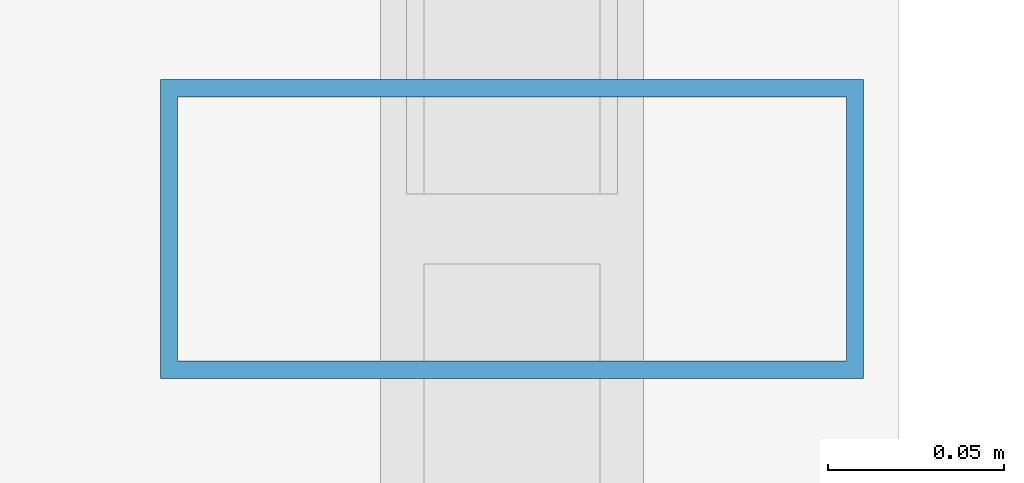
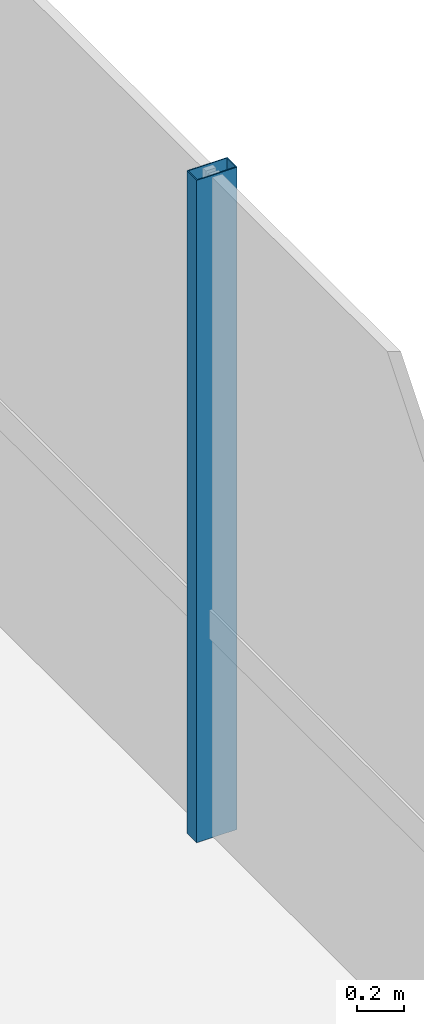
# One storey, part 8 of 36: 1 member, 1 element without a shape of its own.
"""IFC4 building model written with IfcOpenShell, lengths in metres."""

from ifc_helpers import new_model, si_unit, direction, frame, origin, origin_2d, place, context, subcontext, project, spatial, hollow_rectangle, extrude, source, transform, mapped, material, material_profile, profile_set, type_object, element, aggregate, save


model = new_model("IFC4")

# Units and contexts
model_context = context("Model", 3, precision=1e-05, world=origin(), true_north=direction((0.0, 1.0)))
body_context = subcontext(model_context, "Body", "Model", "MODEL_VIEW")
ifc_project = project(units=[si_unit("LENGTHUNIT", "METRE"), si_unit("AREAUNIT", "SQUARE_METRE"), si_unit("VOLUMEUNIT", "CUBIC_METRE"), si_unit("PLANEANGLEUNIT", "RADIAN"), si_unit("MASSUNIT", "GRAM", prefix="KILO")], contexts=[model_context])

# Site, building, storey
site_placement = place(None, origin())
site = spatial("IfcSite", under=ifc_project, at=site_placement, CompositionType="ELEMENT")
building_placement = place(site_placement, origin())
building = spatial("IfcBuilding", under=site, at=building_placement, Name="Valdorenza Pilgrim Sanctuary Tower", CompositionType="ELEMENT")
storey_placement = place(building_placement, frame((0.0, 0.0, 153.800048828125)))
storey = spatial("IfcBuildingStorey", under=building, at=storey_placement, Name="L39", CompositionType="ELEMENT", Elevation=153.800048828125)

# Curtain wall, member
ifc_material_1 = material(Name="Curtain-wall IGU glazing", Category="glass")
curtain_wall_type = type_object("IfcCurtainWallType", Name="CW-SYS-02", PredefinedType="NOTDEFINED", material=ifc_material_1)
curtain_wall_placement = place(storey_placement, origin())
curtain_wall = element("IfcCurtainWall", 1, at=curtain_wall_placement, inside=storey, type_object=curtain_wall_type, Name="L39 Curtain Wall CW-L39-1-21", PredefinedType="NOTDEFINED")
ifc_material_2 = material(Name="Anodised aluminium AW-6060", Category="aluminium")
ifc_material_profile = material_profile(ifc_material_2, hollow_rectangle(XDim=0.0849609375, YDim=0.199951171875, WallThickness=0.0048828125, at=origin_2d()), Name="ALU-M 200x85x5")
ifc_profile_set = profile_set([ifc_material_profile], Name="Anodised aluminium AW-6060")
member_type = type_object("IfcMemberType", Name="CW-MUL-02", PredefinedType="MULLION", material=ifc_profile_set)
shared_shape = source(origin(), body_context, "Body", "SweptSolid", [
    extrude(hollow_rectangle(XDim=0.0849609375, YDim=0.199951171875, WallThickness=0.0048828125, at=origin_2d()), origin(), (0.0, 0.0, 1.0), 3.4599609375),
])
member_placement = place(storey_placement, frame((-9.610107421875, -2.0224609375, 0.0), z_axis=(0.0, 0.0, 1.0), x_axis=(0.0, -1.0, 0.0)))
member = element("IfcMember", 2, at=member_placement, type_object=member_type, Name="CW-L39-1-21 Mullion 2", PredefinedType="MULLION", context=body_context, shape_type="MappedRepresentation", body=[
    mapped(shared_shape, transform((0.0, 0.0, 0.0), x_axis=(1.0, 0.0, 0.0), y_axis=(0.0, 1.0, 0.0), z_axis=(0.0, 0.0, 1.0), scale=1.0)),
])
aggregate(curtain_wall, [member])

save(model, "model.ifc")
